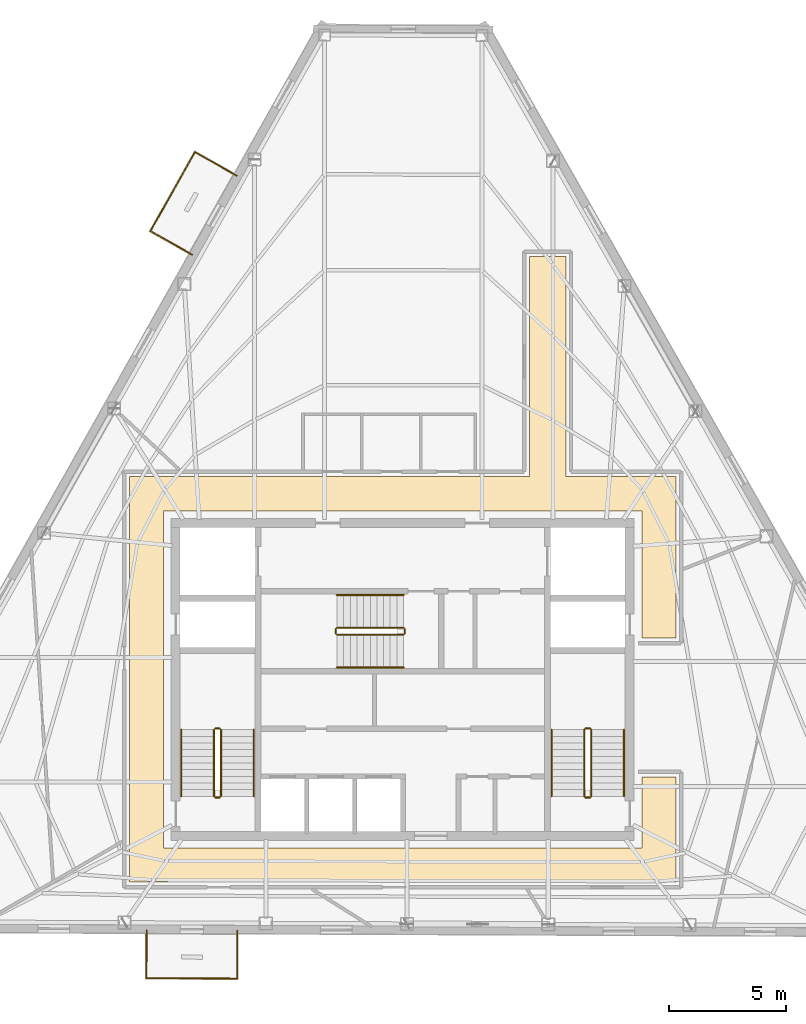
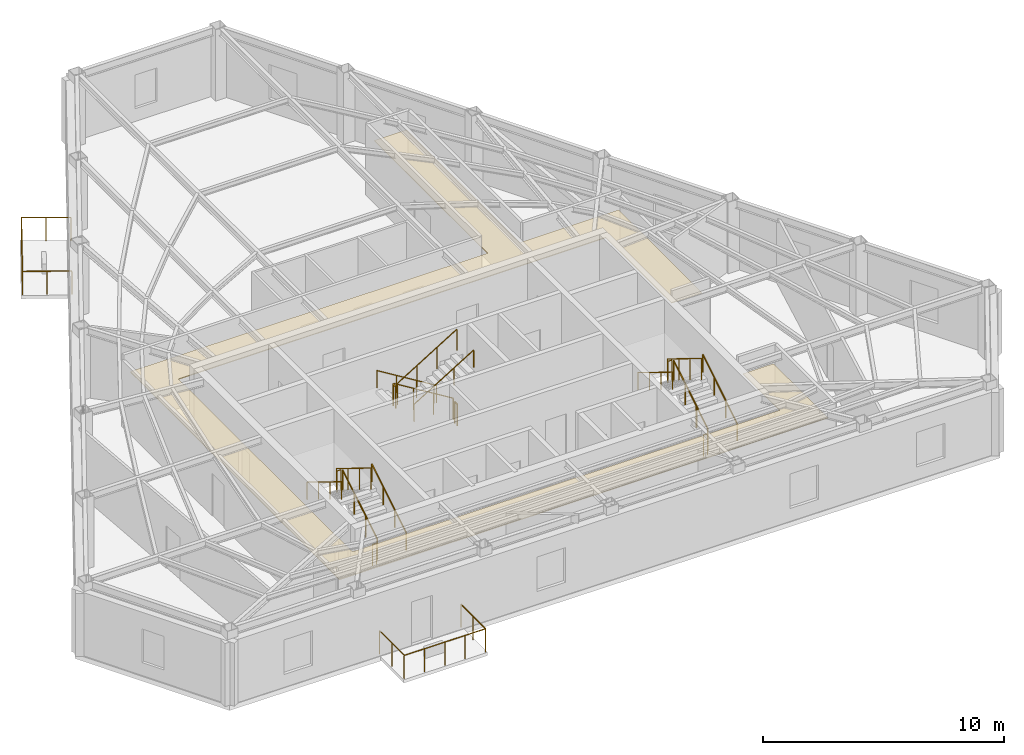
# One storey, part 10 of 10: 24 railings, 1 covering.
"""IFC4 building model written with IfcOpenShell, lengths in metres."""

from ifc_helpers import new_model, si_unit, direction, frame, origin, origin_2d, place, context, subcontext, project, spatial, polyline, circle, outline, extrude, material, layer, layer_set, type_object, element, save


model = new_model("IFC4")

# Units and contexts
model_context = context("Model", 3, precision=1e-05, world=origin(), true_north=direction((0.0, 1.0)))
body_context = subcontext(model_context, "Body", "Model", "MODEL_VIEW")
ifc_project = project(units=[si_unit("LENGTHUNIT", "METRE"), si_unit("AREAUNIT", "SQUARE_METRE"), si_unit("VOLUMEUNIT", "CUBIC_METRE"), si_unit("PLANEANGLEUNIT", "RADIAN"), si_unit("MASSUNIT", "GRAM", prefix="KILO")], contexts=[model_context])

# Site, building, storey
site_placement = place(None, origin())
site = spatial("IfcSite", under=ifc_project, at=site_placement, CompositionType="ELEMENT")
building_placement = place(site_placement, origin())
building = spatial("IfcBuilding", under=site, at=building_placement, Name="Kavelnor Concourse Tower", CompositionType="ELEMENT")
storey_placement = place(building_placement, frame((0.0, 0.0, 239.5)))
storey = spatial("IfcBuildingStorey", under=building, at=storey_placement, Name="L60", CompositionType="ELEMENT", Elevation=239.5)

# Covering
ifc_material_1 = material(Name="Mineral fibre acoustic ceiling tile")
ifc_layer = layer(ifc_material_1, 0.0400390625, Name="Mineral fibre acoustic ceiling tile")
ifc_layer_set = layer_set([ifc_layer], Name="Mineral fibre acoustic ceiling tile")
covering_type = type_object("IfcCoveringType", Name="COV-CEILING-ACOUSTIC", PredefinedType="CEILING", material=ifc_layer_set)
covering_placement = place(storey_placement, frame((0.0, 0.0, 2.75)))
element("IfcCovering", 1, at=covering_placement, inside=storey, type_object=covering_type, Name="L60 Suspended Acoustic Ceiling", PredefinedType="CEILING", context=body_context, shape_type="SweptSolid", body=[
    extrude(outline(polyline([(44.97998046875, 24.77001953125), (49.68994140625, 24.77001953125), (49.68994140625, 17.8701171875), (48.22998046875, 17.8701171875), (48.22998046875, 23.31005859375), (27.77001953125, 23.31005859375), (27.77001953125, 8.889892578125), (48.22998046875, 8.889892578125), (48.22998046875, 11.929931640625), (49.68994140625, 11.929931640625), (49.68994140625, 7.429931640625), (26.31005859375, 7.429931640625), (26.31005859375, 24.77001953125), (43.419921875, 24.77001953125), (43.419921875, 34.179931640625), (44.97998046875, 34.179931640625), (44.97998046875, 24.77001953125)])), origin(), (0.0, 0.0, 1.0), 0.0400390625),
])

# Railings
ifc_material_2 = material(Name="Steel Grade 350", Category="steel")
railing_type_1 = type_object("IfcRailingType", Name="RLG-GUARD-1100", PredefinedType="GUARDRAIL", material=ifc_material_2)
railing_1_placement = place(storey_placement, frame((30.22998046875, 11.10009765625, 0.175048828125)))
element("IfcRailing", 2, at=railing_1_placement, inside=storey, type_object=railing_type_1, Name="L60 ST1 stair guard 1", PredefinedType="GUARDRAIL", context=body_context, shape_type="SweptSolid", body=[
    extrude(circle(Radius=0.02392578125, at=origin_2d()), frame((0.0, 0.0, 1.076171875), z_axis=(0.0, 0.852159232446, 0.523282564737), x_axis=(-1.0, 0.0, 0.0)), (0.0, 0.0, 1.0), 3.34423828125),
    extrude(circle(Radius=0.02099609375, at=origin_2d()), origin(), (0.0, 0.0, 1.0), 1.052001953125),
    extrude(circle(Radius=0.02099609375, at=origin_2d()), frame((0.0, 0.949951171875, 0.583251953125)), (0.0, 0.0, 1.0), 1.052001953125),
    extrude(circle(Radius=0.02099609375, at=origin_2d()), frame((0.0, 1.89990234375, 1.166748046875)), (0.0, 0.0, 1.0), 1.052001953125),
    extrude(circle(Radius=0.02099609375, at=origin_2d()), frame((0.0, 2.849853515625, 1.75)), (0.0, 0.0, 1.0), 1.052001953125),
])
railing_2_placement = place(storey_placement, frame((30.179931640625, 14.0, 1.925048828125)))
element("IfcRailing", 3, at=railing_2_placement, inside=storey, type_object=railing_type_1, Name="L60 ST1 stair guard 2", PredefinedType="GUARDRAIL", context=body_context, shape_type="SweptSolid", body=[
    extrude(circle(Radius=0.02392578125, at=origin_2d()), frame((0.0, 0.0, 1.076171875), z_axis=(-1.0, 0.0, 0.0), x_axis=(0.0, -1.0, 0.0)), (0.0, 0.0, 1.0), 0.199951171875),
    extrude(circle(Radius=0.02099609375, at=origin_2d()), origin(), (0.0, 0.0, 1.0), 1.052001953125),
    extrude(circle(Radius=0.02099609375, at=origin_2d()), frame((-0.199951171875, 0.0, 0.0)), (0.0, 0.0, 1.0), 1.052001953125),
])
railing_3_placement = place(storey_placement, frame((29.929931640625, 13.949951171875, 2.10009765625)))
element("IfcRailing", 4, at=railing_3_placement, inside=storey, type_object=railing_type_1, Name="L60 ST1 stair guard 3", PredefinedType="GUARDRAIL", context=body_context, shape_type="SweptSolid", body=[
    extrude(circle(Radius=0.02392578125, at=origin_2d()), frame((0.0, 0.0, 1.076171875), z_axis=(0.0, -0.852159232446, 0.523282564737), x_axis=(1.0, 0.0, 0.0)), (0.0, 0.0, 1.0), 3.34423828125),
    extrude(circle(Radius=0.02099609375, at=origin_2d()), origin(), (0.0, 0.0, 1.0), 1.052001953125),
    extrude(circle(Radius=0.02099609375, at=origin_2d()), frame((0.0, -0.949951171875, 0.583251953125)), (0.0, 0.0, 1.0), 1.052001953125),
    extrude(circle(Radius=0.02099609375, at=origin_2d()), frame((0.0, -1.89990234375, 1.166748046875)), (0.0, 0.0, 1.0), 1.052001953125),
    extrude(circle(Radius=0.02099609375, at=origin_2d()), frame((0.0, -2.849853515625, 1.75)), (0.0, 0.0, 1.0), 1.052001953125),
])
railing_4_placement = place(storey_placement, frame((30.179931640625, 11.050048828125, 0.0)))
element("IfcRailing", 5, at=railing_4_placement, inside=storey, type_object=railing_type_1, Name="L60 ST1 stair guard 4", PredefinedType="GUARDRAIL", context=body_context, shape_type="SweptSolid", body=[
    extrude(circle(Radius=0.02392578125, at=origin_2d()), frame((0.0, 0.0, 1.076171875), z_axis=(-1.0, 0.0, 0.0), x_axis=(0.0, -1.0, 0.0)), (0.0, 0.0, 1.0), 0.199951171875),
    extrude(circle(Radius=0.02099609375, at=origin_2d()), origin(), (0.0, 0.0, 1.0), 1.052001953125),
    extrude(circle(Radius=0.02099609375, at=origin_2d()), frame((-0.199951171875, 0.0, 0.0)), (0.0, 0.0, 1.0), 1.052001953125),
])
railing_5_placement = place(storey_placement, frame((46.070068359375, 11.10009765625, 0.175048828125)))
element("IfcRailing", 6, at=railing_5_placement, inside=storey, type_object=railing_type_1, Name="L60 ST2 stair guard 1", PredefinedType="GUARDRAIL", context=body_context, shape_type="SweptSolid", body=[
    extrude(circle(Radius=0.02392578125, at=origin_2d()), frame((0.0, 0.0, 1.076171875), z_axis=(0.0, 0.852159232446, 0.523282564737), x_axis=(-1.0, 0.0, 0.0)), (0.0, 0.0, 1.0), 3.34423828125),
    extrude(circle(Radius=0.02099609375, at=origin_2d()), origin(), (0.0, 0.0, 1.0), 1.052001953125),
    extrude(circle(Radius=0.02099609375, at=origin_2d()), frame((0.0, 0.949951171875, 0.583251953125)), (0.0, 0.0, 1.0), 1.052001953125),
    extrude(circle(Radius=0.02099609375, at=origin_2d()), frame((0.0, 1.89990234375, 1.166748046875)), (0.0, 0.0, 1.0), 1.052001953125),
    extrude(circle(Radius=0.02099609375, at=origin_2d()), frame((0.0, 2.849853515625, 1.75)), (0.0, 0.0, 1.0), 1.052001953125),
])
railing_6_placement = place(storey_placement, frame((46.02001953125, 14.0, 1.925048828125)))
element("IfcRailing", 7, at=railing_6_placement, inside=storey, type_object=railing_type_1, Name="L60 ST2 stair guard 2", PredefinedType="GUARDRAIL", context=body_context, shape_type="SweptSolid", body=[
    extrude(circle(Radius=0.02392578125, at=origin_2d()), frame((0.0, 0.0, 1.076171875), z_axis=(-1.0, 0.0, 0.0), x_axis=(0.0, -1.0, 0.0)), (0.0, 0.0, 1.0), 0.199951171875),
    extrude(circle(Radius=0.02099609375, at=origin_2d()), origin(), (0.0, 0.0, 1.0), 1.052001953125),
    extrude(circle(Radius=0.02099609375, at=origin_2d()), frame((-0.199951171875, 0.0, 0.0)), (0.0, 0.0, 1.0), 1.052001953125),
])
railing_7_placement = place(storey_placement, frame((45.77001953125, 13.949951171875, 2.10009765625)))
element("IfcRailing", 8, at=railing_7_placement, inside=storey, type_object=railing_type_1, Name="L60 ST2 stair guard 3", PredefinedType="GUARDRAIL", context=body_context, shape_type="SweptSolid", body=[
    extrude(circle(Radius=0.02392578125, at=origin_2d()), frame((0.0, 0.0, 1.076171875), z_axis=(0.0, -0.852159232446, 0.523282564737), x_axis=(1.0, 0.0, 0.0)), (0.0, 0.0, 1.0), 3.34423828125),
    extrude(circle(Radius=0.02099609375, at=origin_2d()), origin(), (0.0, 0.0, 1.0), 1.052001953125),
    extrude(circle(Radius=0.02099609375, at=origin_2d()), frame((0.0, -0.949951171875, 0.583251953125)), (0.0, 0.0, 1.0), 1.052001953125),
    extrude(circle(Radius=0.02099609375, at=origin_2d()), frame((0.0, -1.89990234375, 1.166748046875)), (0.0, 0.0, 1.0), 1.052001953125),
    extrude(circle(Radius=0.02099609375, at=origin_2d()), frame((0.0, -2.849853515625, 1.75)), (0.0, 0.0, 1.0), 1.052001953125),
])
railing_8_placement = place(storey_placement, frame((46.02001953125, 11.050048828125, 0.0)))
element("IfcRailing", 9, at=railing_8_placement, inside=storey, type_object=railing_type_1, Name="L60 ST2 stair guard 4", PredefinedType="GUARDRAIL", context=body_context, shape_type="SweptSolid", body=[
    extrude(circle(Radius=0.02392578125, at=origin_2d()), frame((0.0, 0.0, 1.076171875), z_axis=(-1.0, 0.0, 0.0), x_axis=(0.0, -1.0, 0.0)), (0.0, 0.0, 1.0), 0.199951171875),
    extrude(circle(Radius=0.02099609375, at=origin_2d()), origin(), (0.0, 0.0, 1.0), 1.052001953125),
    extrude(circle(Radius=0.02099609375, at=origin_2d()), frame((-0.199951171875, 0.0, 0.0)), (0.0, 0.0, 1.0), 1.052001953125),
])
railing_9_placement = place(storey_placement, frame((38.0400390625, 18.31005859375, 0.175048828125)))
element("IfcRailing", 10, at=railing_9_placement, inside=storey, type_object=railing_type_1, Name="L60 ST3 stair guard 1", PredefinedType="GUARDRAIL", context=body_context, shape_type="SweptSolid", body=[
    extrude(circle(Radius=0.02392578125, at=origin_2d()), frame((0.0, 0.0, 1.076171875), z_axis=(-0.852179220489, 0.0, 0.52325001306), x_axis=(0.0, -1.0, 0.0)), (0.0, 0.0, 1.0), 3.344482421875),
    extrude(circle(Radius=0.02099609375, at=origin_2d()), origin(), (0.0, 0.0, 1.0), 1.052001953125),
    extrude(circle(Radius=0.02099609375, at=origin_2d()), frame((-0.949951171875, 0.0, 0.583251953125)), (0.0, 0.0, 1.0), 1.052001953125),
    extrude(circle(Radius=0.02099609375, at=origin_2d()), frame((-1.900146484375, 0.0, 1.166748046875)), (0.0, 0.0, 1.0), 1.052001953125),
    extrude(circle(Radius=0.02099609375, at=origin_2d()), frame((-2.85009765625, 0.0, 1.75)), (0.0, 0.0, 1.0), 1.052001953125),
])
railing_10_placement = place(storey_placement, frame((35.139892578125, 18.260009765625, 1.925048828125)))
element("IfcRailing", 11, at=railing_10_placement, inside=storey, type_object=railing_type_1, Name="L60 ST3 stair guard 2", PredefinedType="GUARDRAIL", context=body_context, shape_type="SweptSolid", body=[
    extrude(circle(Radius=0.02392578125, at=origin_2d()), frame((0.0, 0.0, 1.076171875), z_axis=(0.0, -1.0, 0.0), x_axis=(1.0, 0.0, 0.0)), (0.0, 0.0, 1.0), 0.199951171875),
    extrude(circle(Radius=0.02099609375, at=origin_2d()), origin(), (0.0, 0.0, 1.0), 1.052001953125),
    extrude(circle(Radius=0.02099609375, at=origin_2d()), frame((0.0, -0.199951171875, 0.0)), (0.0, 0.0, 1.0), 1.052001953125),
])
railing_11_placement = place(storey_placement, frame((35.18994140625, 18.010009765625, 2.10009765625)))
element("IfcRailing", 12, at=railing_11_placement, inside=storey, type_object=railing_type_1, Name="L60 ST3 stair guard 3", PredefinedType="GUARDRAIL", context=body_context, shape_type="SweptSolid", body=[
    extrude(circle(Radius=0.02392578125, at=origin_2d()), frame((0.0, 0.0, 1.076171875), z_axis=(0.852179220489, 0.0, 0.52325001306), x_axis=(0.0, 1.0, 0.0)), (0.0, 0.0, 1.0), 3.344482421875),
    extrude(circle(Radius=0.02099609375, at=origin_2d()), origin(), (0.0, 0.0, 1.0), 1.052001953125),
    extrude(circle(Radius=0.02099609375, at=origin_2d()), frame((0.949951171875, 0.0, 0.583251953125)), (0.0, 0.0, 1.0), 1.052001953125),
    extrude(circle(Radius=0.02099609375, at=origin_2d()), frame((1.900146484375, 0.0, 1.166748046875)), (0.0, 0.0, 1.0), 1.052001953125),
    extrude(circle(Radius=0.02099609375, at=origin_2d()), frame((2.85009765625, 0.0, 1.75)), (0.0, 0.0, 1.0), 1.052001953125),
])
railing_12_placement = place(storey_placement, frame((38.090087890625, 18.260009765625, 0.0)))
element("IfcRailing", 13, at=railing_12_placement, inside=storey, type_object=railing_type_1, Name="L60 ST3 stair guard 4", PredefinedType="GUARDRAIL", context=body_context, shape_type="SweptSolid", body=[
    extrude(circle(Radius=0.02392578125, at=origin_2d()), frame((0.0, 0.0, 1.076171875), z_axis=(0.0, -1.0, 0.0), x_axis=(1.0, 0.0, 0.0)), (0.0, 0.0, 1.0), 0.199951171875),
    extrude(circle(Radius=0.02099609375, at=origin_2d()), origin(), (0.0, 0.0, 1.0), 1.052001953125),
    extrude(circle(Radius=0.02099609375, at=origin_2d()), frame((0.0, -0.199951171875, 0.0)), (0.0, 0.0, 1.0), 1.052001953125),
])
railing_type_2 = type_object("IfcRailingType", Name="RLG-HANDRAIL-900", PredefinedType="HANDRAIL", material=ifc_material_2)
railing_13_placement = place(storey_placement, frame((31.6298828125, 11.10009765625, 0.175048828125)))
element("IfcRailing", 14, at=railing_13_placement, inside=storey, type_object=railing_type_2, Name="L60 ST1 stair handrail 1", PredefinedType="HANDRAIL", context=body_context, shape_type="SweptSolid", body=[
    extrude(circle(Radius=0.02392578125, at=origin_2d()), frame((0.0, 0.0, 0.8759765625), z_axis=(0.0, 0.852159232446, 0.523282564737), x_axis=(-1.0, 0.0, 0.0)), (0.0, 0.0, 1.0), 3.34423828125),
    extrude(circle(Radius=0.02099609375, at=origin_2d()), origin(), (0.0, 0.0, 1.0), 0.851806640625),
    extrude(circle(Radius=0.02099609375, at=origin_2d()), frame((0.0, 0.949951171875, 0.583251953125)), (0.0, 0.0, 1.0), 0.851806640625),
    extrude(circle(Radius=0.02099609375, at=origin_2d()), frame((0.0, 1.89990234375, 1.166748046875)), (0.0, 0.0, 1.0), 0.851806640625),
    extrude(circle(Radius=0.02099609375, at=origin_2d()), frame((0.0, 2.849853515625, 1.75)), (0.0, 0.0, 1.0), 0.851806640625),
])
railing_14_placement = place(storey_placement, frame((28.530029296875, 13.949951171875, 2.10009765625)))
element("IfcRailing", 15, at=railing_14_placement, inside=storey, type_object=railing_type_2, Name="L60 ST1 stair handrail 2", PredefinedType="HANDRAIL", context=body_context, shape_type="SweptSolid", body=[
    extrude(circle(Radius=0.02392578125, at=origin_2d()), frame((0.0, 0.0, 0.8759765625), z_axis=(0.0, -0.852159232446, 0.523282564737), x_axis=(1.0, 0.0, 0.0)), (0.0, 0.0, 1.0), 3.34423828125),
    extrude(circle(Radius=0.02099609375, at=origin_2d()), origin(), (0.0, 0.0, 1.0), 0.851806640625),
    extrude(circle(Radius=0.02099609375, at=origin_2d()), frame((0.0, -0.949951171875, 0.583251953125)), (0.0, 0.0, 1.0), 0.851806640625),
    extrude(circle(Radius=0.02099609375, at=origin_2d()), frame((0.0, -1.89990234375, 1.166748046875)), (0.0, 0.0, 1.0), 0.851806640625),
    extrude(circle(Radius=0.02099609375, at=origin_2d()), frame((0.0, -2.849853515625, 1.75)), (0.0, 0.0, 1.0), 0.851806640625),
])
railing_15_placement = place(storey_placement, frame((47.469970703125, 11.10009765625, 0.175048828125)))
element("IfcRailing", 16, at=railing_15_placement, inside=storey, type_object=railing_type_2, Name="L60 ST2 stair handrail 1", PredefinedType="HANDRAIL", context=body_context, shape_type="SweptSolid", body=[
    extrude(circle(Radius=0.02392578125, at=origin_2d()), frame((0.0, 0.0, 0.8759765625), z_axis=(0.0, 0.852159232446, 0.523282564737), x_axis=(-1.0, 0.0, 0.0)), (0.0, 0.0, 1.0), 3.34423828125),
    extrude(circle(Radius=0.02099609375, at=origin_2d()), origin(), (0.0, 0.0, 1.0), 0.851806640625),
    extrude(circle(Radius=0.02099609375, at=origin_2d()), frame((0.0, 0.949951171875, 0.583251953125)), (0.0, 0.0, 1.0), 0.851806640625),
    extrude(circle(Radius=0.02099609375, at=origin_2d()), frame((0.0, 1.89990234375, 1.166748046875)), (0.0, 0.0, 1.0), 0.851806640625),
    extrude(circle(Radius=0.02099609375, at=origin_2d()), frame((0.0, 2.849853515625, 1.75)), (0.0, 0.0, 1.0), 0.851806640625),
])
railing_16_placement = place(storey_placement, frame((44.3701171875, 13.949951171875, 2.10009765625)))
element("IfcRailing", 17, at=railing_16_placement, inside=storey, type_object=railing_type_2, Name="L60 ST2 stair handrail 2", PredefinedType="HANDRAIL", context=body_context, shape_type="SweptSolid", body=[
    extrude(circle(Radius=0.02392578125, at=origin_2d()), frame((0.0, 0.0, 0.8759765625), z_axis=(0.0, -0.852159232446, 0.523282564737), x_axis=(1.0, 0.0, 0.0)), (0.0, 0.0, 1.0), 3.34423828125),
    extrude(circle(Radius=0.02099609375, at=origin_2d()), origin(), (0.0, 0.0, 1.0), 0.851806640625),
    extrude(circle(Radius=0.02099609375, at=origin_2d()), frame((0.0, -0.949951171875, 0.583251953125)), (0.0, 0.0, 1.0), 0.851806640625),
    extrude(circle(Radius=0.02099609375, at=origin_2d()), frame((0.0, -1.89990234375, 1.166748046875)), (0.0, 0.0, 1.0), 0.851806640625),
    extrude(circle(Radius=0.02099609375, at=origin_2d()), frame((0.0, -2.849853515625, 1.75)), (0.0, 0.0, 1.0), 0.851806640625),
])
railing_17_placement = place(storey_placement, frame((38.0400390625, 19.7099609375, 0.175048828125)))
element("IfcRailing", 18, at=railing_17_placement, inside=storey, type_object=railing_type_2, Name="L60 ST3 stair handrail 1", PredefinedType="HANDRAIL", context=body_context, shape_type="SweptSolid", body=[
    extrude(circle(Radius=0.02392578125, at=origin_2d()), frame((0.0, 0.0, 0.8759765625), z_axis=(-0.852179220489, 0.0, 0.52325001306), x_axis=(0.0, -1.0, 0.0)), (0.0, 0.0, 1.0), 3.344482421875),
    extrude(circle(Radius=0.02099609375, at=origin_2d()), origin(), (0.0, 0.0, 1.0), 0.851806640625),
    extrude(circle(Radius=0.02099609375, at=origin_2d()), frame((-0.949951171875, 0.0, 0.583251953125)), (0.0, 0.0, 1.0), 0.851806640625),
    extrude(circle(Radius=0.02099609375, at=origin_2d()), frame((-1.900146484375, 0.0, 1.166748046875)), (0.0, 0.0, 1.0), 0.851806640625),
    extrude(circle(Radius=0.02099609375, at=origin_2d()), frame((-2.85009765625, 0.0, 1.75)), (0.0, 0.0, 1.0), 0.851806640625),
])
railing_18_placement = place(storey_placement, frame((35.18994140625, 16.610107421875, 2.10009765625)))
element("IfcRailing", 19, at=railing_18_placement, inside=storey, type_object=railing_type_2, Name="L60 ST3 stair handrail 2", PredefinedType="HANDRAIL", context=body_context, shape_type="SweptSolid", body=[
    extrude(circle(Radius=0.02392578125, at=origin_2d()), frame((0.0, 0.0, 0.8759765625), z_axis=(0.852179220489, 0.0, 0.52325001306), x_axis=(0.0, 1.0, 0.0)), (0.0, 0.0, 1.0), 3.344482421875),
    extrude(circle(Radius=0.02099609375, at=origin_2d()), origin(), (0.0, 0.0, 1.0), 0.851806640625),
    extrude(circle(Radius=0.02099609375, at=origin_2d()), frame((0.949951171875, 0.0, 0.583251953125)), (0.0, 0.0, 1.0), 0.851806640625),
    extrude(circle(Radius=0.02099609375, at=origin_2d()), frame((1.900146484375, 0.0, 1.166748046875)), (0.0, 0.0, 1.0), 0.851806640625),
    extrude(circle(Radius=0.02099609375, at=origin_2d()), frame((2.85009765625, 0.0, 1.75)), (0.0, 0.0, 1.0), 0.851806640625),
])
ifc_material_3 = material(Name="Architectural bronze-anodised aluminium", Category="aluminium")
railing_type_3 = type_object("IfcRailingType", Name="RLG-TERRACE-1200", PredefinedType="BALUSTRADE", material=ifc_material_3)
railing_19_placement = place(storey_placement, frame((30.90234375, 37.6484375, 0.0)))
element("IfcRailing", 20, at=railing_19_placement, inside=storey, type_object=railing_type_3, Name="L60 Tree Balcony 1 Guardrail L", PredefinedType="BALUSTRADE", context=body_context, shape_type="SweptSolid", body=[
    extrude(circle(Radius=0.02392578125, at=origin_2d()), frame((0.0, 0.0, 1.17578125), z_axis=(-0.871362369664, 0.490640011346, 0.0), x_axis=(-0.490640011346, -0.871362369664, 0.0)), (0.0, 0.0, 1.0), 2.050048828125),
    extrude(circle(Radius=0.02099609375, at=origin_2d()), origin(), (0.0, 0.0, 1.0), 1.15185546875),
    extrude(circle(Radius=0.02099609375, at=origin_2d()), frame((-0.89306640625, 0.5029296875, 0.0)), (0.0, 0.0, 1.0), 1.15185546875),
    extrude(circle(Radius=0.02099609375, at=origin_2d()), frame((-1.786376953125, 1.005859375, 0.0)), (0.0, 0.0, 1.0), 1.15185546875),
])
railing_20_placement = place(storey_placement, frame((29.115966796875, 38.654296875, 0.0)))
element("IfcRailing", 21, at=railing_20_placement, inside=storey, type_object=railing_type_3, Name="L60 Tree Balcony 1 Guardrail F", PredefinedType="BALUSTRADE", context=body_context, shape_type="SweptSolid", body=[
    extrude(circle(Radius=0.02392578125, at=origin_2d()), frame((0.0, 0.0, 1.17578125), z_axis=(-0.490592798175, -0.871388952408, 0.0), x_axis=(0.871388952408, -0.490592798175, 0.0)), (0.0, 0.0, 1.0), 3.880126953125),
    extrude(circle(Radius=0.02099609375, at=origin_2d()), origin(), (0.0, 0.0, 1.0), 1.15185546875),
    extrude(circle(Radius=0.02099609375, at=origin_2d()), frame((-0.475830078125, -0.84521484375, 0.0)), (0.0, 0.0, 1.0), 1.15185546875),
    extrude(circle(Radius=0.02099609375, at=origin_2d()), frame((-0.95166015625, -1.6904296875, 0.0)), (0.0, 0.0, 1.0), 1.15185546875),
    extrude(circle(Radius=0.02099609375, at=origin_2d()), frame((-1.427734375, -2.535888671875, 0.0)), (0.0, 0.0, 1.0), 1.15185546875),
    extrude(circle(Radius=0.02099609375, at=origin_2d()), frame((-1.903564453125, -3.381103515625, 0.0)), (0.0, 0.0, 1.0), 1.15185546875),
])
railing_21_placement = place(storey_placement, frame((27.21240234375, 35.273193359375, 0.0)))
element("IfcRailing", 22, at=railing_21_placement, inside=storey, type_object=railing_type_3, Name="L60 Tree Balcony 1 Guardrail R", PredefinedType="BALUSTRADE", context=body_context, shape_type="SweptSolid", body=[
    extrude(circle(Radius=0.02392578125, at=origin_2d()), frame((0.0, 0.0, 1.17578125), z_axis=(0.871413280809, -0.490549583661, 0.0), x_axis=(0.490549583661, 0.871413280809, 0.0)), (0.0, 0.0, 1.0), 2.050048828125),
    extrude(circle(Radius=0.02099609375, at=origin_2d()), origin(), (0.0, 0.0, 1.0), 1.15185546875),
    extrude(circle(Radius=0.02099609375, at=origin_2d()), frame((0.89306640625, -0.5029296875, 0.0)), (0.0, 0.0, 1.0), 1.15185546875),
    extrude(circle(Radius=0.02099609375, at=origin_2d()), frame((1.786376953125, -1.005615234375, 0.0)), (0.0, 0.0, 1.0), 1.15185546875),
])
railing_22_placement = place(storey_placement, frame((27.0478515625, 5.36962890625, 0.0)))
element("IfcRailing", 23, at=railing_22_placement, inside=storey, type_object=railing_type_3, Name="L60 Tree Balcony 2 Guardrail L", PredefinedType="BALUSTRADE", context=body_context, shape_type="SweptSolid", body=[
    extrude(circle(Radius=0.02392578125, at=origin_2d()), frame((0.0, 0.0, 1.17578125), z_axis=(-0.004168615519, -0.999991311285, 0.0), x_axis=(0.999991311285, -0.004168615519, 0.0)), (0.0, 0.0, 1.0), 2.0498046875),
    extrude(circle(Radius=0.02099609375, at=origin_2d()), origin(), (0.0, 0.0, 1.0), 1.15185546875),
    extrude(circle(Radius=0.02099609375, at=origin_2d()), frame((-0.00439453125, -1.02490234375, 0.0)), (0.0, 0.0, 1.0), 1.15185546875),
    extrude(circle(Radius=0.02099609375, at=origin_2d()), frame((-0.008544921875, -2.0498046875, 0.0)), (0.0, 0.0, 1.0), 1.15185546875),
])
railing_23_placement = place(storey_placement, frame((27.039306640625, 3.31982421875, 0.0)))
element("IfcRailing", 24, at=railing_23_placement, inside=storey, type_object=railing_type_3, Name="L60 Tree Balcony 2 Guardrail F", PredefinedType="BALUSTRADE", context=body_context, shape_type="SweptSolid", body=[
    extrude(circle(Radius=0.02392578125, at=origin_2d()), frame((0.0, 0.0, 1.17578125), z_axis=(0.999991112969, -0.004215920247, 0.0), x_axis=(0.004215920247, 0.999991112969, 0.0)), (0.0, 0.0, 1.0), 3.8798828125),
    extrude(circle(Radius=0.02099609375, at=origin_2d()), origin(), (0.0, 0.0, 1.0), 1.15185546875),
    extrude(circle(Radius=0.02099609375, at=origin_2d()), frame((0.969970703125, -0.004150390625, 0.0)), (0.0, 0.0, 1.0), 1.15185546875),
    extrude(circle(Radius=0.02099609375, at=origin_2d()), frame((1.93994140625, -0.00830078125, 0.0)), (0.0, 0.0, 1.0), 1.15185546875),
    extrude(circle(Radius=0.02099609375, at=origin_2d()), frame((2.909912109375, -0.01220703125, 0.0)), (0.0, 0.0, 1.0), 1.15185546875),
    extrude(circle(Radius=0.02099609375, at=origin_2d()), frame((3.8798828125, -0.016357421875, 0.0)), (0.0, 0.0, 1.0), 1.15185546875),
])
railing_24_placement = place(storey_placement, frame((30.919189453125, 3.303466796875, 0.0)))
element("IfcRailing", 25, at=railing_24_placement, inside=storey, type_object=railing_type_3, Name="L60 Tree Balcony 2 Guardrail R", PredefinedType="BALUSTRADE", context=body_context, shape_type="SweptSolid", body=[
    extrude(circle(Radius=0.02392578125, at=origin_2d()), frame((0.0, 0.0, 1.17578125), z_axis=(0.004168119086, 0.999991313354, 0.0), x_axis=(-0.999991313354, 0.004168119086, 0.0)), (0.0, 0.0, 1.0), 2.050048828125),
    extrude(circle(Radius=0.02099609375, at=origin_2d()), origin(), (0.0, 0.0, 1.0), 1.15185546875),
    extrude(circle(Radius=0.02099609375, at=origin_2d()), frame((0.00439453125, 1.02490234375, 0.0)), (0.0, 0.0, 1.0), 1.15185546875),
    extrude(circle(Radius=0.02099609375, at=origin_2d()), frame((0.008544921875, 2.050048828125, 0.0)), (0.0, 0.0, 1.0), 1.15185546875),
])

save(model, "model.ifc")
